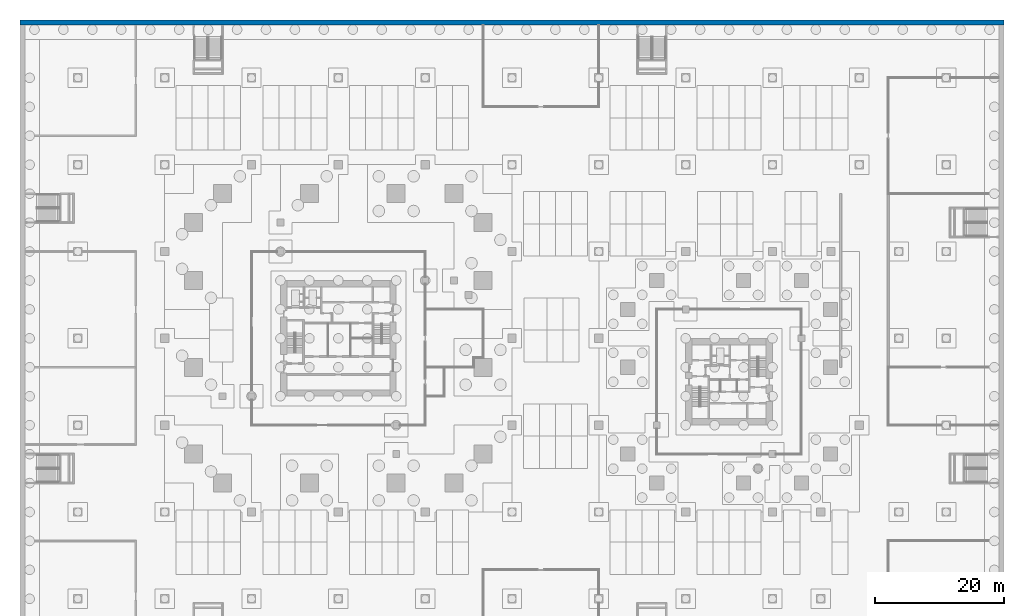
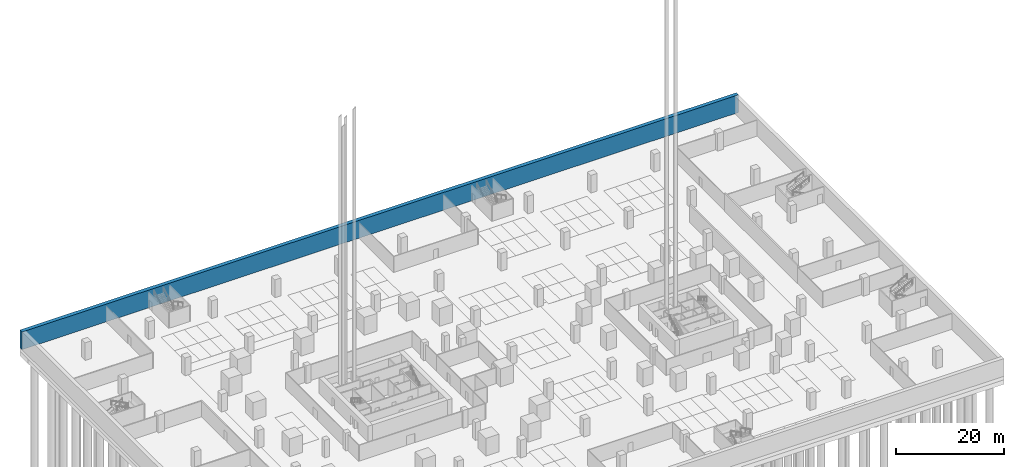
# One storey, part 13 of 40: 1 wall.
"""IFC4 building model written with IfcOpenShell, lengths in metres."""

from ifc_helpers import new_model, si_unit, direction, frame, frame_2d, origin, place, context, subcontext, project, spatial, rectangle, extrude, material, layer, layer_set, type_object, element, save


model = new_model("IFC4")

# Units and contexts
model_context = context("Model", 3, precision=1e-05, world=origin(), true_north=direction((0.0, 1.0)))
body_context = subcontext(model_context, "Body", "Model", "MODEL_VIEW")
ifc_project = project(units=[si_unit("LENGTHUNIT", "METRE"), si_unit("AREAUNIT", "SQUARE_METRE"), si_unit("VOLUMEUNIT", "CUBIC_METRE"), si_unit("PLANEANGLEUNIT", "RADIAN"), si_unit("MASSUNIT", "GRAM", prefix="KILO")], contexts=[model_context])

# Site, building, storey
site_placement = place(None, origin())
site = spatial("IfcSite", under=ifc_project, at=site_placement, CompositionType="ELEMENT")
building_placement = place(site_placement, origin())
building = spatial("IfcBuilding", under=site, at=building_placement, Name="Altepetl Exchange Towers", CompositionType="ELEMENT")
storey_placement = place(building_placement, frame((0.0, 0.0, -8.0)))
storey = spatial("IfcBuildingStorey", under=building, at=storey_placement, Name="B2 Basement parking", CompositionType="ELEMENT", Elevation=-8.0)

# Wall
ifc_material = material(Name="Concrete C60/75", Category="concrete")
ifc_layer = layer(ifc_material, 0.800048828125)
ifc_layer_set = layer_set([ifc_layer], Name="Concrete C60/75")
wall_type = type_object("IfcWallType", Name="Retaining wall 800", PredefinedType="SOLIDWALL", material=ifc_layer_set)
wall_placement = place(storey_placement, frame((0.0, 98.60009765625, 0.0)))
element("IfcWall", 1, at=wall_placement, inside=storey, type_object=wall_type, Name="wall:P:B2:retN", PredefinedType="SOLIDWALL", context=body_context, shape_type="SweptSolid", body=[
    extrude(rectangle(XDim=153.0, YDim=0.800048828125, at=frame_2d((76.5, 0.0))), origin(), (0.0, 0.0, 1.0), 4.0),
])

save(model, "model.ifc")
